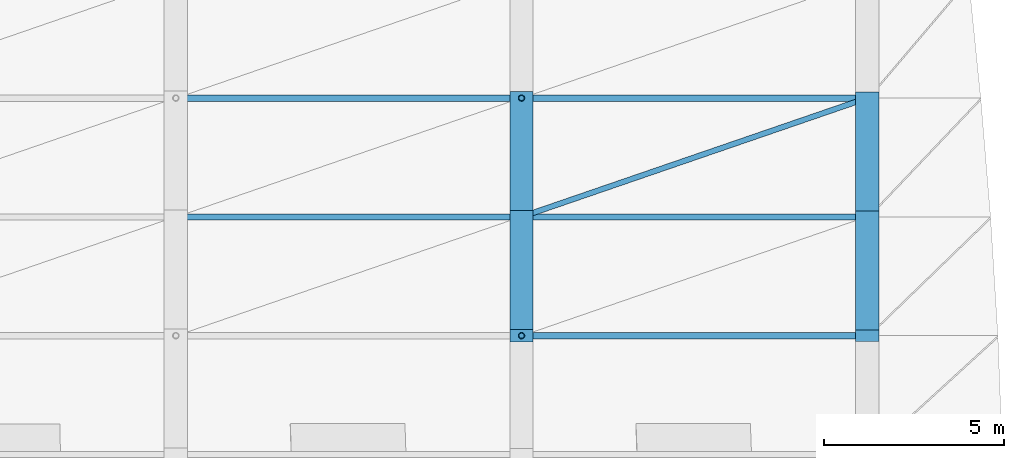
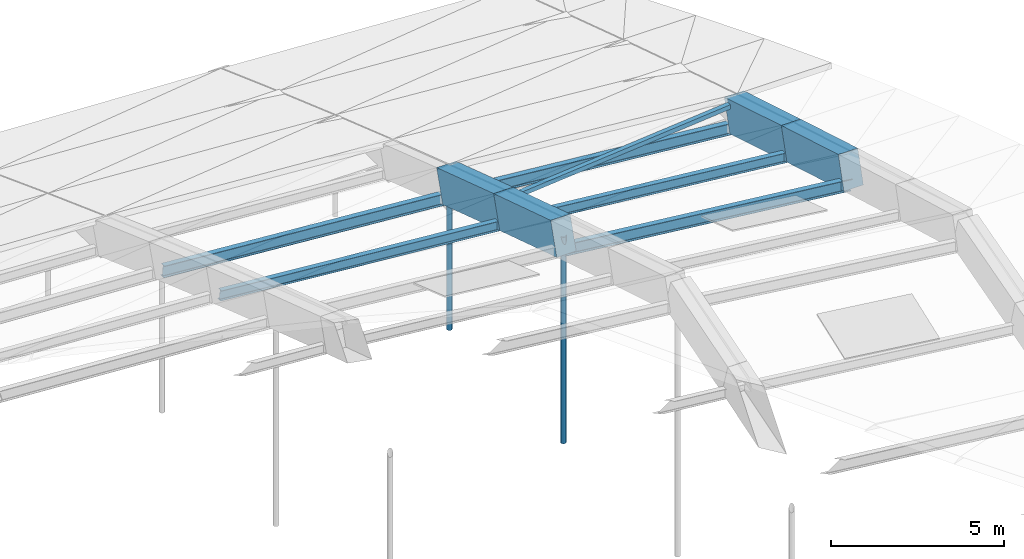
# One storey, part 34 of 43: 8 members, 4 beams.
"""IFC4 building model written with IfcOpenShell, lengths in metres."""

from ifc_helpers import new_model, si_unit, direction, frame, origin, origin_2d, place, context, subcontext, project, spatial, rectangle, hollow_rectangle, hollow_circle, i_section, extrude, material, material_profile, profile_set, type_object, element, save


model = new_model("IFC4")

# Units and contexts
model_context = context("Model", 3, precision=1e-05, world=origin(), true_north=direction((0.0, 1.0)))
body_context = subcontext(model_context, "Body", "Model", "MODEL_VIEW")
ifc_project = project(units=[si_unit("LENGTHUNIT", "METRE"), si_unit("AREAUNIT", "SQUARE_METRE"), si_unit("VOLUMEUNIT", "CUBIC_METRE"), si_unit("PLANEANGLEUNIT", "RADIAN"), si_unit("MASSUNIT", "GRAM", prefix="KILO")], contexts=[model_context])

# Site, building, storey
site_placement = place(None, origin())
site = spatial("IfcSite", under=ifc_project, at=site_placement, CompositionType="ELEMENT")
building_placement = place(site_placement, origin())
building = spatial("IfcBuilding", under=site, at=building_placement, Name="Chalmorin Arch Market", CompositionType="ELEMENT")
storey_placement = place(building_placement, frame((0.0, 0.0, 18.60009765625)))
storey = spatial("IfcBuildingStorey", under=building, at=storey_placement, Name="RF", CompositionType="ELEMENT", Elevation=18.60009765625)

# Members
ifc_material_1 = material(Name="Steel A500 Grade C", Category="steel")
ifc_material_profile_1 = material_profile(ifc_material_1, hollow_circle(Radius=0.084228515625, WallThickness=0.007080078125, at=origin_2d()), Name="CHS168X7")
ifc_profile_set_1 = profile_set([ifc_material_profile_1], Name="Steel A500 Grade C")
member_type_1 = type_object("IfcMemberType", Name="ArchHangerTie-CHS168", PredefinedType="CHORD", material=ifc_profile_set_1)
member_1_placement = place(storey_placement, frame((115.199951171875, 39.0, -3.283447265625), z_axis=(0.0, 0.0, 1.0), x_axis=(1.0, 0.0, 0.0)))
element("IfcMember", 1, at=member_1_placement, inside=storey, type_object=member_type_1, Name="HT-CH168-0181", PredefinedType="CHORD", context=body_context, shape_type="SweptSolid", body=[
    extrude(hollow_circle(Radius=0.084228515625, WallThickness=0.007080078125, at=origin_2d()), origin(), (0.0, 0.0, 1.0), 7.291748046875),
])
member_2_placement = place(storey_placement, frame((115.199951171875, 45.60009765625, -3.283447265625), z_axis=(0.0, 0.0, 1.0), x_axis=(1.0, 0.0, 0.0)))
element("IfcMember", 2, at=member_2_placement, inside=storey, type_object=member_type_1, Name="HT-CH168-0182", PredefinedType="CHORD", context=body_context, shape_type="SweptSolid", body=[
    extrude(hollow_circle(Radius=0.084228515625, WallThickness=0.007080078125, at=origin_2d()), origin(), (0.0, 0.0, 1.0), 5.154052734375),
])

# Beams
ifc_material_2 = material(Name="Concrete C50/60", Category="concrete")
ifc_material_profile_2 = material_profile(ifc_material_2, rectangle(XDim=0.64990234375, YDim=1.14990234375, at=origin_2d()), Name="RC650X1150")
ifc_profile_set_2 = profile_set([ifc_material_profile_2], Name="Concrete C50/60")
beam_type = type_object("IfcBeamType", Name="ArchRibChord-650x1150", PredefinedType="BEAM", material=ifc_profile_set_2)
beam_1_placement = place(storey_placement, frame((115.199951171875, 39.0, 4.00830078125), z_axis=(0.0, 0.952494485955, -0.304555831049), x_axis=(-1.0, 0.0, 0.0)))
element("IfcBeam", 3, at=beam_1_placement, inside=storey, type_object=beam_type, Name="AR-01-1728", PredefinedType="BEAM", context=body_context, shape_type="SweptSolid", body=[
    extrude(rectangle(XDim=0.64990234375, YDim=1.14990234375, at=origin_2d()), origin(), (0.0, 0.0, 1.0), 3.464599609375),
])
beam_2_placement = place(storey_placement, frame((115.199951171875, 42.300048828125, 2.953125), z_axis=(0.0, 0.950183815663, -0.311690096815), x_axis=(-1.0, 0.0, 0.0)))
element("IfcBeam", 4, at=beam_2_placement, inside=storey, type_object=beam_type, Name="AR-01-1729", PredefinedType="BEAM", context=body_context, shape_type="SweptSolid", body=[
    extrude(rectangle(XDim=0.64990234375, YDim=1.14990234375, at=origin_2d()), origin(), (0.0, 0.0, 1.0), 3.47314453125),
])
beam_3_placement = place(storey_placement, frame((124.800048828125, 39.0, 2.976806640625), z_axis=(0.0, 0.959049689051, -0.283237875171), x_axis=(-1.0, 0.0, 0.0)))
element("IfcBeam", 5, at=beam_3_placement, inside=storey, type_object=beam_type, Name="AR-01-1747", PredefinedType="BEAM", context=body_context, shape_type="SweptSolid", body=[
    extrude(rectangle(XDim=0.64990234375, YDim=1.14990234375, at=origin_2d()), origin(), (0.0, 0.0, 1.0), 3.44091796875),
])
beam_4_placement = place(storey_placement, frame((124.800048828125, 42.300048828125, 2.002197265625), z_axis=(0.0, 0.957045243912, -0.2899386161), x_axis=(-1.0, 0.0, 0.0)))
element("IfcBeam", 6, at=beam_4_placement, inside=storey, type_object=beam_type, Name="AR-01-1748", PredefinedType="BEAM", context=body_context, shape_type="SweptSolid", body=[
    extrude(rectangle(XDim=0.64990234375, YDim=1.14990234375, at=origin_2d()), origin(), (0.0, 0.0, 1.0), 3.4482421875),
])

# Members
ifc_material_3 = material(Name="Steel A992 Grade 50", Category="steel")
ifc_material_profile_3 = material_profile(ifc_material_3, i_section(OverallWidth=0.1708984375, OverallDepth=0.35107421875, WebThickness=0.0068359375, FlangeThickness=0.009765625, FilletRadius=0.014892578125, at=origin_2d()), Name="W14X30")
ifc_profile_set_3 = profile_set([ifc_material_profile_3], Name="Steel A992 Grade 50")
member_type_2 = type_object("IfcMemberType", Name="RoofSteelPurlin-W14X30", PredefinedType="PURLIN", material=ifc_profile_set_3)
member_3_placement = place(storey_placement, frame((105.6201171875, 42.300048828125, 3.279296875), z_axis=(0.996463313136, 0.0, -0.084028956763), x_axis=(0.0, 1.0, 0.0)))
element("IfcMember", 7, at=member_3_placement, inside=storey, type_object=member_type_2, Name="PR-W14-0309", PredefinedType="PURLIN", context=body_context, shape_type="SweptSolid", body=[
    extrude(i_section(OverallWidth=0.1708984375, OverallDepth=0.35107421875, WebThickness=0.0068359375, FlangeThickness=0.009765625, FilletRadius=0.014892578125, at=origin_2d()), origin(), (0.0, 0.0, 1.0), 9.59375),
])
member_4_placement = place(storey_placement, frame((115.219970703125, 42.300048828125, 2.47314453125), z_axis=(0.995089386539, 0.0, -0.098980365713), x_axis=(0.0, 1.0, 0.0)))
element("IfcMember", 8, at=member_4_placement, inside=storey, type_object=member_type_2, Name="PR-W14-0326", PredefinedType="PURLIN", context=body_context, shape_type="SweptSolid", body=[
    extrude(i_section(OverallWidth=0.1708984375, OverallDepth=0.35107421875, WebThickness=0.0068359375, FlangeThickness=0.009765625, FilletRadius=0.014892578125, at=origin_2d()), origin(), (0.0, 0.0, 1.0), 9.607177734375),
])
ifc_material_profile_4 = material_profile(ifc_material_3, i_section(OverallWidth=0.178955078125, OverallDepth=0.409912109375, WebThickness=0.0087890625, FlangeThickness=0.014404296875, FilletRadius=0.01806640625, at=origin_2d()), Name="W16X45")
ifc_profile_set_4 = profile_set([ifc_material_profile_4], Name="Steel A992 Grade 50")
member_type_3 = type_object("IfcMemberType", Name="RoofSteelPurlin-W16X45", PredefinedType="PURLIN", material=ifc_profile_set_4)
member_5_placement = place(storey_placement, frame((105.6201171875, 45.60009765625, 2.126708984375), z_axis=(0.99704879106, 0.0, -0.076770490718), x_axis=(0.0, 1.0, 0.0)))
element("IfcMember", 9, at=member_5_placement, inside=storey, type_object=member_type_3, Name="PR-W16-0310", PredefinedType="PURLIN", context=body_context, shape_type="SweptSolid", body=[
    extrude(i_section(OverallWidth=0.178955078125, OverallDepth=0.409912109375, WebThickness=0.0087890625, FlangeThickness=0.014404296875, FilletRadius=0.01806640625, at=origin_2d()), origin(), (0.0, 0.0, 1.0), 9.588134765625),
])
member_6_placement = place(storey_placement, frame((115.219970703125, 39.0, 3.5283203125), z_axis=(0.994229537793, 0.0, -0.1072736043), x_axis=(0.0, 1.0, 0.0)))
element("IfcMember", 10, at=member_6_placement, inside=storey, type_object=member_type_3, Name="PR-W16-0325", PredefinedType="PURLIN", context=body_context, shape_type="SweptSolid", body=[
    extrude(i_section(OverallWidth=0.178955078125, OverallDepth=0.409912109375, WebThickness=0.0087890625, FlangeThickness=0.014404296875, FilletRadius=0.01806640625, at=origin_2d()), origin(), (0.0, 0.0, 1.0), 9.615478515625),
])
member_7_placement = place(storey_placement, frame((115.219970703125, 45.60009765625, 1.390625), z_axis=(0.995901957403, 0.0, -0.090439434101), x_axis=(0.0, 1.0, 0.0)))
element("IfcMember", 11, at=member_7_placement, inside=storey, type_object=member_type_3, Name="PR-W16-0327", PredefinedType="PURLIN", context=body_context, shape_type="SweptSolid", body=[
    extrude(i_section(OverallWidth=0.178955078125, OverallDepth=0.409912109375, WebThickness=0.0087890625, FlangeThickness=0.014404296875, FilletRadius=0.01806640625, at=origin_2d()), origin(), (0.0, 0.0, 1.0), 9.599365234375),
])
ifc_material_profile_5 = material_profile(ifc_material_1, hollow_rectangle(XDim=0.15234375, YDim=0.15234375, WallThickness=0.0087890625, at=origin_2d()), Name="HSS6X6X3/8")
ifc_profile_set_5 = profile_set([ifc_material_profile_5], Name="Steel A500 Grade C")
member_type_4 = type_object("IfcMemberType", Name="VaultWindBrace-HSS6X6", PredefinedType="BRACE", material=ifc_profile_set_5)
member_8_placement = place(storey_placement, frame((115.199951171875, 42.300048828125, 3.30322265625), z_axis=(0.928691535866, 0.319239191554, -0.188728296198), x_axis=(-0.325081112779, 0.945686137212, 0.0)))
element("IfcMember", 12, at=member_8_placement, inside=storey, type_object=member_type_4, Name="BR-HS6-0334", ObjectType="Diagonal brace", PredefinedType="BRACE", context=body_context, shape_type="SweptSolid", body=[
    extrude(hollow_rectangle(XDim=0.15234375, YDim=0.15234375, WallThickness=0.0087890625, at=origin_2d()), origin(), (0.0, 0.0, 1.0), 10.337158203125),
])

save(model, "model.ifc")
